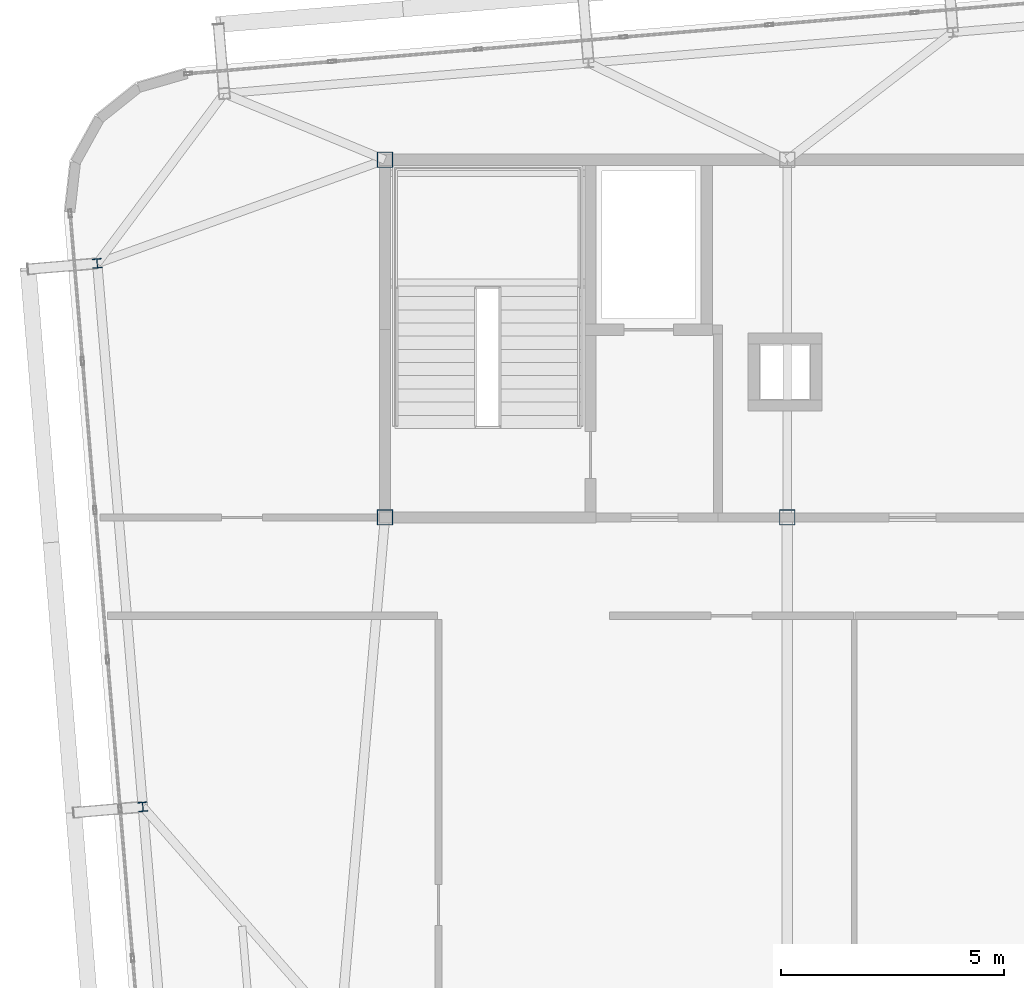
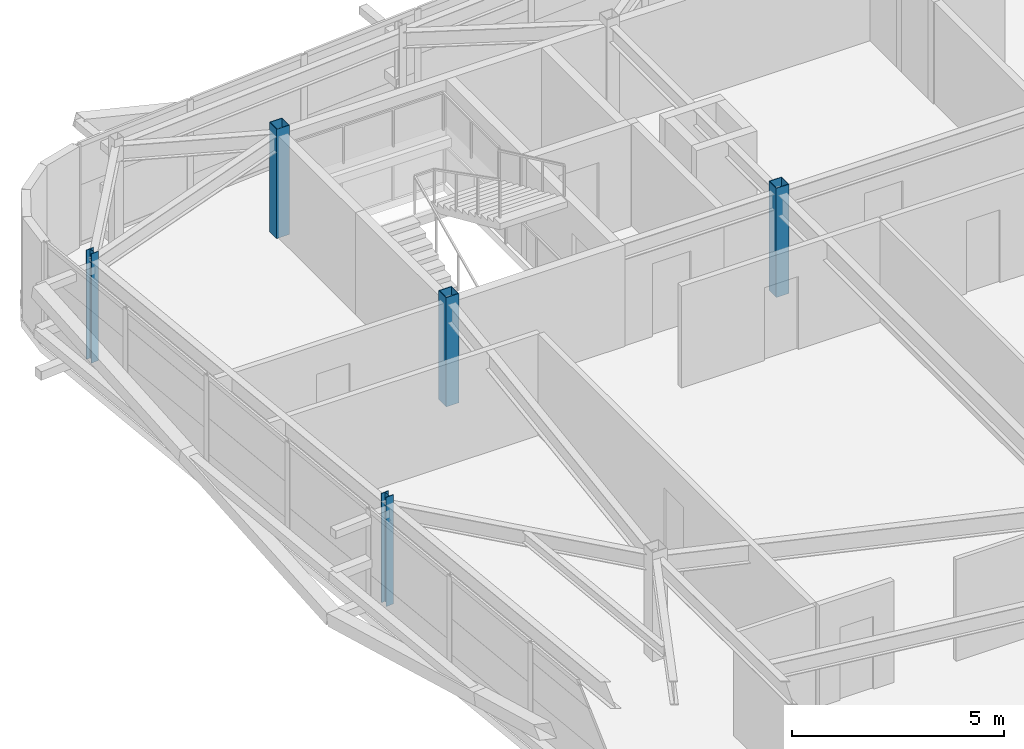
# One storey, part 2 of 46: 5 columns.
"""IFC4 building model written with IfcOpenShell, lengths in metres."""

from ifc_helpers import new_model, si_unit, direction, frame, origin, origin_2d, place, context, subcontext, project, spatial, hollow_rectangle, i_section, extrude, source, transform, mapped, material, material_profile, profile_set, type_object, element, save


model = new_model("IFC4")

# Units and contexts
model_context = context("Model", 3, precision=1e-05, world=origin(), true_north=direction((0.0, 1.0)))
body_context = subcontext(model_context, "Body", "Model", "MODEL_VIEW")
ifc_project = project(units=[si_unit("LENGTHUNIT", "METRE"), si_unit("AREAUNIT", "SQUARE_METRE"), si_unit("VOLUMEUNIT", "CUBIC_METRE"), si_unit("PLANEANGLEUNIT", "RADIAN"), si_unit("MASSUNIT", "GRAM", prefix="KILO")], contexts=[model_context])

# Site, building, storey
site_placement = place(None, origin())
site = spatial("IfcSite", under=ifc_project, at=site_placement, CompositionType="ELEMENT")
building_placement = place(site_placement, origin())
building = spatial("IfcBuilding", under=site, at=building_placement, Name="Taldren Reach Tower", CompositionType="ELEMENT")
storey_placement = place(building_placement, frame((0.0, 0.0, 188.300048828125)))
storey = spatial("IfcBuildingStorey", under=building, at=storey_placement, Name="L57", CompositionType="ELEMENT", Elevation=188.300048828125)

# Columns
ifc_material_1 = material(Name="Steel Gr 450 (C450L0)", Category="steel")
ifc_material_profile_1 = material_profile(ifc_material_1, hollow_rectangle(XDim=0.35009765625, YDim=0.35009765625, WallThickness=0.01611328125, at=origin_2d()), Name="350x350x16.0SHS")
ifc_profile_set_1 = profile_set([ifc_material_profile_1], Name="Steel Gr 450 (C450L0)")
column_type_1 = type_object("IfcColumnType", Name="COL-SHS350", PredefinedType="COLUMN", material=ifc_profile_set_1)
shared_shape_1 = source(origin(), body_context, "Body", "SweptSolid", [
    extrude(hollow_rectangle(XDim=0.35009765625, YDim=0.35009765625, WallThickness=0.01611328125, at=origin_2d()), origin(), (0.0, 0.0, 1.0), 3.14990234375),
])
for number, where, z_axis, x_axis, name in (
    (1, (19.0, 24.0, 0.0), (0.0, 0.0, 1.0), (1.0, 0.0, 0.0), "Mega column MC-C1 L57"),
    (2, (28.0, 24.0, 0.0), (0.0, 0.0, 1.0), (1.0, 0.0, 0.0), "Mega column MC-C2 L57"),
    (3, (19.0, 32.0, 0.0), (0.0, 0.0, 1.0), (1.0, 0.0, 0.0), "Mega column MC-C5 L57"),
):
    element("IfcColumn", number, at=place(storey_placement, frame(where, z_axis=z_axis, x_axis=x_axis)), inside=storey, type_object=column_type_1, Name=name, PredefinedType="COLUMN", context=body_context, shape_type="MappedRepresentation", body=[
        mapped(shared_shape_1, transform((0.0, 0.0, 0.0), scale=1.0)),
    ])
ifc_material_2 = material(Name="Steel Gr 350 (350PLUS)", Category="steel")
ifc_material_profile_2 = material_profile(ifc_material_2, i_section(OverallWidth=0.205078125, OverallDepth=0.2099609375, WebThickness=0.00927734375, FlangeThickness=0.01416015625, at=origin_2d()), Name="200UC59.5")
ifc_profile_set_2 = profile_set([ifc_material_profile_2], Name="Steel Gr 350 (350PLUS)")
column_type_2 = type_object("IfcColumnType", Name="COL-UC200", PredefinedType="COLUMN", material=ifc_profile_set_2)
shared_shape_2 = source(origin(), body_context, "Body", "SweptSolid", [
    extrude(i_section(OverallWidth=0.205078125, OverallDepth=0.2099609375, WebThickness=0.00927734375, FlangeThickness=0.01416015625, at=origin_2d()), origin(), (0.0, 0.0, 1.0), 3.14990234375),
])
for number, where, z_axis, x_axis, name in (
    (4, (13.582763671875, 17.525146484375, 0.0), (0.0, 0.0, 1.0), (0.99649285925, 0.083677843332, 0.0), "Block B4 perimeter column W2 L57"),
    (5, (12.56201171875, 29.682373046875, 0.0), (0.0, 0.0, 1.0), (0.99649285925, 0.083677843332, 0.0), "Block B4 perimeter column W3 L57"),
):
    element("IfcColumn", number, at=place(storey_placement, frame(where, z_axis=z_axis, x_axis=x_axis)), inside=storey, type_object=column_type_2, Name=name, PredefinedType="COLUMN", context=body_context, shape_type="MappedRepresentation", body=[
        mapped(shared_shape_2, transform((0.0, 0.0, 0.0), scale=1.0)),
    ])

save(model, "model.ifc")
